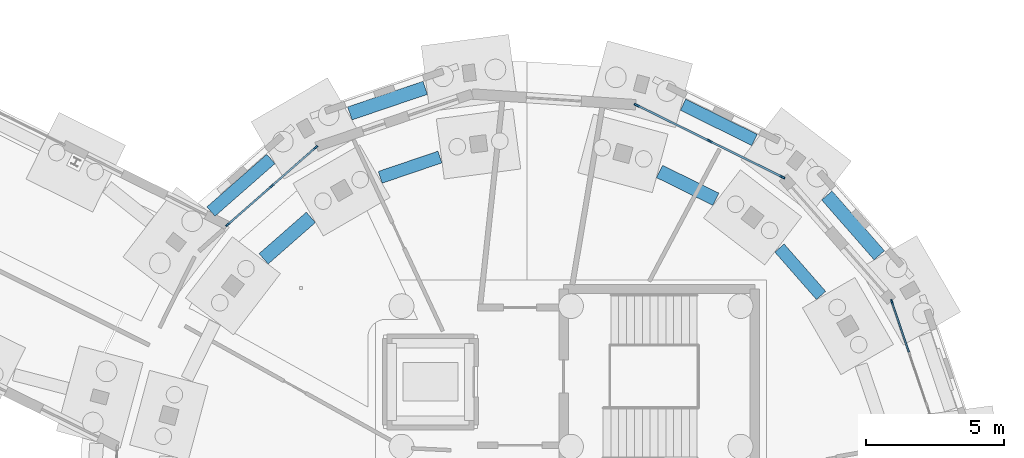
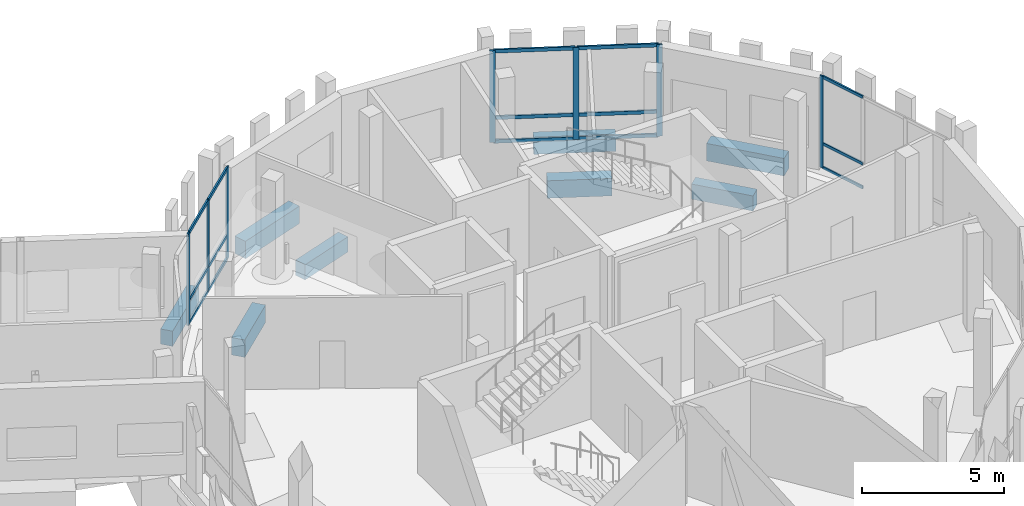
# One storey, part 62 of 113: 22 members, 8 beams, 3 elements without a shape of their own.
"""IFC4 building model written with IfcOpenShell, lengths in metres."""

from ifc_helpers import new_model, si_unit, direction, frame, origin, origin_2d, place, context, subcontext, project, spatial, rectangle, extrude, material, material_profile, profile_set, type_object, element, aggregate, save


model = new_model("IFC4")

# Units and contexts
model_context = context("Model", 3, precision=1e-05, world=origin(), true_north=direction((0.0, 1.0)))
body_context = subcontext(model_context, "Body", "Model", "MODEL_VIEW")
ifc_project = project(units=[si_unit("LENGTHUNIT", "METRE"), si_unit("AREAUNIT", "SQUARE_METRE"), si_unit("VOLUMEUNIT", "CUBIC_METRE"), si_unit("PLANEANGLEUNIT", "RADIAN"), si_unit("MASSUNIT", "GRAM", prefix="KILO")], contexts=[model_context])

# Site, building, storey
site_placement = place(None, origin())
site = spatial("IfcSite", under=ifc_project, at=site_placement, CompositionType="ELEMENT")
building_placement = place(site_placement, origin())
building = spatial("IfcBuilding", under=site, at=building_placement, Name="Wrenclough Park School", CompositionType="ELEMENT")
storey_placement = place(building_placement, origin())
storey = spatial("IfcBuildingStorey", under=building, at=storey_placement, Name="L00", CompositionType="ELEMENT", Elevation=0.0)

# Curtain wall, member
ifc_material_1 = material(Name="Thermally broken aluminium and low-e glass curtain wall", Category="aluminium")
curtain_wall_type_1 = type_object("IfcCurtainWallType", Name="ENV-CW-09", PredefinedType="USERDEFINED", material=ifc_material_1)
curtain_wall_1_placement = place(storey_placement, origin())
curtain_wall_1 = element("IfcCurtainWall", 1, at=curtain_wall_1_placement, inside=storey, type_object=curtain_wall_type_1, Name="L00 recessed curtain wall assembly 024", ObjectType="CURTAIN WALL", PredefinedType="USERDEFINED")
ifc_material_2 = material(Name="Thermally broken anodised aluminium", Category="aluminium")
ifc_material_profile_1 = material_profile(ifc_material_2, rectangle(XDim=0.06005859375, YDim=0.159912109375, at=origin_2d()), Name="AL MULLION 60x160")
ifc_profile_set_1 = profile_set([ifc_material_profile_1], Name="Thermally broken anodised aluminium")
member_type_1 = type_object("IfcMemberType", Name="ENV-CWM-1", PredefinedType="MULLION", material=ifc_profile_set_1)
member_1_placement = place(storey_placement, frame((187.741943359375, 101.106689453125, 0.0), z_axis=(0.0, 0.0, 1.0), x_axis=(0.946933787668, 0.321428688473, 0.0)))
member_1 = element("IfcMember", 2, at=member_1_placement, type_object=member_type_1, Name="CW-09 mullion 1", PredefinedType="MULLION", context=body_context, shape_type="SweptSolid", body=[
    extrude(rectangle(XDim=0.06005859375, YDim=0.159912109375, at=origin_2d()), origin(), (0.0, 0.0, 1.0), 3.93994140625),
])

# Curtain wall, members
curtain_wall_type_2 = type_object("IfcCurtainWallType", Name="ENV-CW-07", PredefinedType="USERDEFINED", material=ifc_material_1)
curtain_wall_2_placement = place(storey_placement, origin())
curtain_wall_2 = element("IfcCurtainWall", 3, at=curtain_wall_2_placement, inside=storey, type_object=curtain_wall_type_2, Name="L00 recessed curtain wall assembly 022", ObjectType="CURTAIN WALL", PredefinedType="USERDEFINED")
ifc_material_profile_2 = material_profile(ifc_material_2, rectangle(XDim=0.06494140625, YDim=0.179931640625, at=origin_2d()), Name="AL MULLION 65x180")
ifc_profile_set_2 = profile_set([ifc_material_profile_2], Name="Thermally broken anodised aluminium")
member_type_2 = type_object("IfcMemberType", Name="ENV-CWM-2", PredefinedType="MULLION", material=ifc_profile_set_2)
member_2_placement = place(storey_placement, frame((163.64306640625, 103.90869140625, 0.0), z_axis=(0.0, 0.0, 1.0), x_axis=(-0.659374996981, 0.751814214654, 0.0)))
member_2 = element("IfcMember", 4, at=member_2_placement, type_object=member_type_2, Name="CW-07 mullion 1", PredefinedType="MULLION", context=body_context, shape_type="SweptSolid", body=[
    extrude(rectangle(XDim=0.06494140625, YDim=0.179931640625, at=origin_2d()), origin(), (0.0, 0.0, 1.0), 3.93994140625),
])
member_3_placement = place(storey_placement, frame((165.23828125, 105.307861328125, 0.0), z_axis=(0.0, 0.0, 1.0), x_axis=(-0.659374996981, 0.751814214654, 0.0)))
member_3 = element("IfcMember", 5, at=member_3_placement, type_object=member_type_2, Name="CW-07 mullion 2", PredefinedType="MULLION", context=body_context, shape_type="SweptSolid", body=[
    extrude(rectangle(XDim=0.06494140625, YDim=0.179931640625, at=origin_2d()), origin(), (0.0, 0.0, 1.0), 3.93994140625),
])
member_4_placement = place(storey_placement, frame((166.833740234375, 106.706787109375, 0.0), z_axis=(0.0, 0.0, 1.0), x_axis=(-0.659374996981, 0.751814214654, 0.0)))
member_4 = element("IfcMember", 6, at=member_4_placement, type_object=member_type_2, Name="CW-07 mullion 3", PredefinedType="MULLION", context=body_context, shape_type="SweptSolid", body=[
    extrude(rectangle(XDim=0.06494140625, YDim=0.179931640625, at=origin_2d()), origin(), (0.0, 0.0, 1.0), 3.93994140625),
])

curtain_wall_type_3 = type_object("IfcCurtainWallType", Name="ENV-CW-08", PredefinedType="USERDEFINED", material=ifc_material_1)
curtain_wall_3_placement = place(storey_placement, origin())
curtain_wall_3 = element("IfcCurtainWall", 7, at=curtain_wall_3_placement, inside=storey, type_object=curtain_wall_type_3, Name="L00 recessed curtain wall assembly 023", ObjectType="CURTAIN WALL", PredefinedType="USERDEFINED")
ifc_material_profile_3 = material_profile(ifc_material_2, rectangle(XDim=0.070068359375, YDim=0.199951171875, at=origin_2d()), Name="AL MULLION 70x200")
ifc_profile_set_3 = profile_set([ifc_material_profile_3], Name="Thermally broken anodised aluminium")
member_type_3 = type_object("IfcMemberType", Name="ENV-CWM-3", PredefinedType="MULLION", material=ifc_profile_set_3)
member_5_placement = place(storey_placement, frame((178.489013671875, 108.239990234375, 0.0), z_axis=(0.0, 0.0, 1.0), x_axis=(0.442301923806, 0.896866215328, 0.0)))
member_5 = element("IfcMember", 8, at=member_5_placement, type_object=member_type_3, Name="CW-08 mullion 1", PredefinedType="MULLION", context=body_context, shape_type="SweptSolid", body=[
    extrude(rectangle(XDim=0.070068359375, YDim=0.199951171875, at=origin_2d()), origin(), (0.0, 0.0, 1.0), 3.93994140625),
])
member_6_placement = place(storey_placement, frame((181.127197265625, 106.93896484375, 0.0), z_axis=(0.0, 0.0, 1.0), x_axis=(0.442301923806, 0.896866215328, 0.0)))
member_6 = element("IfcMember", 9, at=member_6_placement, type_object=member_type_3, Name="CW-08 mullion 2", PredefinedType="MULLION", context=body_context, shape_type="SweptSolid", body=[
    extrude(rectangle(XDim=0.070068359375, YDim=0.199951171875, at=origin_2d()), origin(), (0.0, 0.0, 1.0), 3.93994140625),
])
member_7_placement = place(storey_placement, frame((183.765625, 105.6376953125, 0.0), z_axis=(0.0, 0.0, 1.0), x_axis=(0.442301923806, 0.896866215328, 0.0)))
member_7 = element("IfcMember", 10, at=member_7_placement, type_object=member_type_3, Name="CW-08 mullion 3", PredefinedType="MULLION", context=body_context, shape_type="SweptSolid", body=[
    extrude(rectangle(XDim=0.070068359375, YDim=0.199951171875, at=origin_2d()), origin(), (0.0, 0.0, 1.0), 3.93994140625),
])

# Member
ifc_material_profile_4 = material_profile(ifc_material_2, rectangle(XDim=0.06005859375, YDim=0.1201171875, at=origin_2d()), Name="AL TRANSOM 60x120")
ifc_profile_set_4 = profile_set([ifc_material_profile_4], Name="Thermally broken anodised aluminium")
member_type_4 = type_object("IfcMemberType", Name="ENV-CWT-1", PredefinedType="USERDEFINED", material=ifc_profile_set_4)
member_8_placement = place(storey_placement, frame((187.75146484375, 101.078369140625, 0.030029296875), z_axis=(0.321403655134, -0.946942284654, 0.0), x_axis=(0.946942284654, 0.321403655134, 0.0)))
member_8 = element("IfcMember", 11, at=member_8_placement, type_object=member_type_4, Name="CW-09 transom 1.1", ObjectType="TRANSOM", PredefinedType="USERDEFINED", context=body_context, shape_type="SweptSolid", body=[
    extrude(rectangle(XDim=0.06005859375, YDim=0.1201171875, at=origin_2d()), origin(), (0.0, 0.0, 1.0), 1.89453125),
])

member_9_placement = place(storey_placement, frame((187.75146484375, 101.078369140625, 1.050048828125), z_axis=(0.321403655134, -0.946942284654, 0.0), x_axis=(0.946942284654, 0.321403655134, 0.0)))
member_9 = element("IfcMember", 12, at=member_9_placement, type_object=member_type_4, Name="CW-09 transom 1.2", ObjectType="TRANSOM", PredefinedType="USERDEFINED", context=body_context, shape_type="SweptSolid", body=[
    extrude(rectangle(XDim=0.06005859375, YDim=0.1201171875, at=origin_2d()), origin(), (0.0, 0.0, 1.0), 1.89453125),
])

member_10_placement = place(storey_placement, frame((187.75146484375, 101.078369140625, 3.909912109375), z_axis=(0.321403655134, -0.946942284654, 0.0), x_axis=(0.946942284654, 0.321403655134, 0.0)))
member_10 = element("IfcMember", 13, at=member_10_placement, type_object=member_type_4, Name="CW-09 transom 1.3", ObjectType="TRANSOM", PredefinedType="USERDEFINED", context=body_context, shape_type="SweptSolid", body=[
    extrude(rectangle(XDim=0.06005859375, YDim=0.1201171875, at=origin_2d()), origin(), (0.0, 0.0, 1.0), 1.89453125),
])

aggregate(curtain_wall_1, [member_1, member_8, member_9, member_10])

ifc_material_profile_5 = material_profile(ifc_material_2, rectangle(XDim=0.06494140625, YDim=0.139892578125, at=origin_2d()), Name="AL TRANSOM 65x140")
ifc_profile_set_5 = profile_set([ifc_material_profile_5], Name="Thermally broken anodised aluminium")
member_type_5 = type_object("IfcMemberType", Name="ENV-CWT-2", PredefinedType="USERDEFINED", material=ifc_profile_set_5)
member_11_placement = place(storey_placement, frame((163.66748046875, 103.93017578125, 0.032470703125), z_axis=(0.751826210205, 0.659361319497, 0.0), x_axis=(-0.659361319497, 0.751826210205, 0.0)))
member_11 = element("IfcMember", 14, at=member_11_placement, type_object=member_type_5, Name="CW-07 transom 1.1", ObjectType="TRANSOM", PredefinedType="USERDEFINED", context=body_context, shape_type="SweptSolid", body=[
    extrude(rectangle(XDim=0.06494140625, YDim=0.139892578125, at=origin_2d()), origin(), (0.0, 0.0, 1.0), 2.056884765625),
])

member_12_placement = place(storey_placement, frame((163.66748046875, 103.93017578125, 1.050048828125), z_axis=(0.751826210205, 0.659361319497, 0.0), x_axis=(-0.659361319497, 0.751826210205, 0.0)))
member_12 = element("IfcMember", 15, at=member_12_placement, type_object=member_type_5, Name="CW-07 transom 1.2", ObjectType="TRANSOM", PredefinedType="USERDEFINED", context=body_context, shape_type="SweptSolid", body=[
    extrude(rectangle(XDim=0.06494140625, YDim=0.139892578125, at=origin_2d()), origin(), (0.0, 0.0, 1.0), 2.056884765625),
])

member_13_placement = place(storey_placement, frame((163.66748046875, 103.93017578125, 3.907470703125), z_axis=(0.751826210205, 0.659361319497, 0.0), x_axis=(-0.659361319497, 0.751826210205, 0.0)))
member_13 = element("IfcMember", 16, at=member_13_placement, type_object=member_type_5, Name="CW-07 transom 1.3", ObjectType="TRANSOM", PredefinedType="USERDEFINED", context=body_context, shape_type="SweptSolid", body=[
    extrude(rectangle(XDim=0.06494140625, YDim=0.139892578125, at=origin_2d()), origin(), (0.0, 0.0, 1.0), 2.056884765625),
])

member_14_placement = place(storey_placement, frame((165.262939453125, 105.3291015625, 0.032470703125), z_axis=(0.751767370778, 0.659428404175, 0.0), x_axis=(-0.659428404175, 0.751767370778, 0.0)))
member_14 = element("IfcMember", 17, at=member_14_placement, type_object=member_type_5, Name="CW-07 transom 2.1", ObjectType="TRANSOM", PredefinedType="USERDEFINED", context=body_context, shape_type="SweptSolid", body=[
    extrude(rectangle(XDim=0.06494140625, YDim=0.139892578125, at=origin_2d()), origin(), (0.0, 0.0, 1.0), 2.056884765625),
])

member_15_placement = place(storey_placement, frame((165.262939453125, 105.3291015625, 1.050048828125), z_axis=(0.751767370778, 0.659428404175, 0.0), x_axis=(-0.659428404175, 0.751767370778, 0.0)))
member_15 = element("IfcMember", 18, at=member_15_placement, type_object=member_type_5, Name="CW-07 transom 2.2", ObjectType="TRANSOM", PredefinedType="USERDEFINED", context=body_context, shape_type="SweptSolid", body=[
    extrude(rectangle(XDim=0.06494140625, YDim=0.139892578125, at=origin_2d()), origin(), (0.0, 0.0, 1.0), 2.056884765625),
])

member_16_placement = place(storey_placement, frame((165.262939453125, 105.3291015625, 3.907470703125), z_axis=(0.751767370778, 0.659428404175, 0.0), x_axis=(-0.659428404175, 0.751767370778, 0.0)))
member_16 = element("IfcMember", 19, at=member_16_placement, type_object=member_type_5, Name="CW-07 transom 2.3", ObjectType="TRANSOM", PredefinedType="USERDEFINED", context=body_context, shape_type="SweptSolid", body=[
    extrude(rectangle(XDim=0.06494140625, YDim=0.139892578125, at=origin_2d()), origin(), (0.0, 0.0, 1.0), 2.056884765625),
])

aggregate(curtain_wall_2, [member_2, member_3, member_4, member_11, member_12, member_13, member_14, member_15, member_16])

ifc_material_profile_6 = material_profile(ifc_material_2, rectangle(XDim=0.070068359375, YDim=0.14990234375, at=origin_2d()), Name="AL TRANSOM 70x150")
ifc_profile_set_6 = profile_set([ifc_material_profile_6], Name="Thermally broken anodised aluminium")
member_type_6 = type_object("IfcMemberType", Name="ENV-CWT-3", PredefinedType="USERDEFINED", material=ifc_profile_set_6)
member_17_placement = place(storey_placement, frame((178.5205078125, 108.224365234375, 0.034912109375), z_axis=(0.896879186367, -0.442275621147, 0.0), x_axis=(0.442275621147, 0.896879186367, 0.0)))
member_17 = element("IfcMember", 20, at=member_17_placement, type_object=member_type_6, Name="CW-08 transom 1.1", ObjectType="TRANSOM", PredefinedType="USERDEFINED", context=body_context, shape_type="SweptSolid", body=[
    extrude(rectangle(XDim=0.070068359375, YDim=0.14990234375, at=origin_2d()), origin(), (0.0, 0.0, 1.0), 2.87158203125),
])

member_18_placement = place(storey_placement, frame((178.5205078125, 108.224365234375, 1.050048828125), z_axis=(0.896879186367, -0.442275621147, 0.0), x_axis=(0.442275621147, 0.896879186367, 0.0)))
member_18 = element("IfcMember", 21, at=member_18_placement, type_object=member_type_6, Name="CW-08 transom 1.2", ObjectType="TRANSOM", PredefinedType="USERDEFINED", context=body_context, shape_type="SweptSolid", body=[
    extrude(rectangle(XDim=0.070068359375, YDim=0.14990234375, at=origin_2d()), origin(), (0.0, 0.0, 1.0), 2.87158203125),
])

member_19_placement = place(storey_placement, frame((178.5205078125, 108.224365234375, 3.905029296875), z_axis=(0.896879186367, -0.442275621147, 0.0), x_axis=(0.442275621147, 0.896879186367, 0.0)))
member_19 = element("IfcMember", 22, at=member_19_placement, type_object=member_type_6, Name="CW-08 transom 1.3", ObjectType="TRANSOM", PredefinedType="USERDEFINED", context=body_context, shape_type="SweptSolid", body=[
    extrude(rectangle(XDim=0.070068359375, YDim=0.14990234375, at=origin_2d()), origin(), (0.0, 0.0, 1.0), 2.87158203125),
])

member_20_placement = place(storey_placement, frame((181.15869140625, 106.92333984375, 0.034912109375), z_axis=(0.896879186367, -0.442275621147, 0.0), x_axis=(0.442275621147, 0.896879186367, 0.0)))
member_20 = element("IfcMember", 23, at=member_20_placement, type_object=member_type_6, Name="CW-08 transom 2.1", ObjectType="TRANSOM", PredefinedType="USERDEFINED", context=body_context, shape_type="SweptSolid", body=[
    extrude(rectangle(XDim=0.070068359375, YDim=0.14990234375, at=origin_2d()), origin(), (0.0, 0.0, 1.0), 2.87158203125),
])

member_21_placement = place(storey_placement, frame((181.15869140625, 106.92333984375, 1.050048828125), z_axis=(0.896879186367, -0.442275621147, 0.0), x_axis=(0.442275621147, 0.896879186367, 0.0)))
member_21 = element("IfcMember", 24, at=member_21_placement, type_object=member_type_6, Name="CW-08 transom 2.2", ObjectType="TRANSOM", PredefinedType="USERDEFINED", context=body_context, shape_type="SweptSolid", body=[
    extrude(rectangle(XDim=0.070068359375, YDim=0.14990234375, at=origin_2d()), origin(), (0.0, 0.0, 1.0), 2.87158203125),
])

member_22_placement = place(storey_placement, frame((181.15869140625, 106.92333984375, 3.905029296875), z_axis=(0.896879186367, -0.442275621147, 0.0), x_axis=(0.442275621147, 0.896879186367, 0.0)))
member_22 = element("IfcMember", 25, at=member_22_placement, type_object=member_type_6, Name="CW-08 transom 2.3", ObjectType="TRANSOM", PredefinedType="USERDEFINED", context=body_context, shape_type="SweptSolid", body=[
    extrude(rectangle(XDim=0.070068359375, YDim=0.14990234375, at=origin_2d()), origin(), (0.0, 0.0, 1.0), 2.87158203125),
])

aggregate(curtain_wall_3, [member_5, member_6, member_7, member_17, member_18, member_19, member_20, member_21, member_22])

# Beams
ifc_material_3 = material(Name="Concrete C35/45", Category="concrete")
ifc_material_profile_7 = material_profile(ifc_material_3, rectangle(XDim=0.449951171875, YDim=0.64990234375, at=origin_2d()), Name="RC GROUND 450x650")
ifc_profile_set_7 = profile_set([ifc_material_profile_7], Name="Concrete C35/45")
beam_type_1 = type_object("IfcBeamType", Name="STR-BM-GTB1", PredefinedType="USERDEFINED", material=ifc_profile_set_7)
beam_1_placement = place(storey_placement, frame((182.7607421875, 106.977783203125, -0.64990234375), z_axis=(-0.896858957971, 0.44231663942, 0.0), x_axis=(-0.44231663942, -0.896858957971, 0.0)))
element("IfcBeam", 26, at=beam_1_placement, inside=storey, type_object=beam_type_1, Name="Reinforced concrete ground tie beam 091", ObjectType="GROUND TIE BEAM", PredefinedType="USERDEFINED", context=body_context, shape_type="SweptSolid", body=[
    extrude(rectangle(XDim=0.449951171875, YDim=0.64990234375, at=origin_2d()), origin(), (0.0, 0.0, 1.0), 2.8955078125),
])
beam_2_placement = place(storey_placement, frame((165.209228515625, 106.289794921875, -0.64990234375), z_axis=(-0.751803112244, -0.659387655647, 0.0), x_axis=(0.659387655647, -0.751803112244, 0.0)))
element("IfcBeam", 27, at=beam_2_placement, inside=storey, type_object=beam_type_1, Name="Reinforced concrete ground tie beam 093", ObjectType="GROUND TIE BEAM", PredefinedType="USERDEFINED", context=body_context, shape_type="SweptSolid", body=[
    extrude(rectangle(XDim=0.449951171875, YDim=0.64990234375, at=origin_2d()), origin(), (0.0, 0.0, 1.0), 2.895263671875),
])
beam_3_placement = place(storey_placement, frame((185.17236328125, 101.33740234375, -0.64990234375), z_axis=(-0.659350029295, 0.751836111708, 0.0), x_axis=(-0.751836111708, -0.659350029295, 0.0)))
element("IfcBeam", 28, at=beam_3_placement, inside=storey, type_object=beam_type_1, Name="Reinforced concrete ground tie beam 105", ObjectType="GROUND TIE BEAM", PredefinedType="USERDEFINED", context=body_context, shape_type="SweptSolid", body=[
    extrude(rectangle(XDim=0.449951171875, YDim=0.64990234375, at=origin_2d()), origin(), (0.0, 0.0, 1.0), 2.28857421875),
])
beam_4_placement = place(storey_placement, frame((171.34326171875, 106.359375, -0.64990234375), z_axis=(-0.946908550775, -0.321503027153, 0.0), x_axis=(0.321503027153, -0.946908550775, 0.0)))
element("IfcBeam", 29, at=beam_4_placement, inside=storey, type_object=beam_type_1, Name="Reinforced concrete ground tie beam 107", ObjectType="GROUND TIE BEAM", PredefinedType="USERDEFINED", context=body_context, shape_type="SweptSolid", body=[
    extrude(rectangle(XDim=0.449951171875, YDim=0.64990234375, at=origin_2d()), origin(), (0.0, 0.0, 1.0), 2.288818359375),
])
ifc_material_profile_8 = material_profile(ifc_material_3, rectangle(XDim=0.5, YDim=0.75, at=origin_2d()), Name="RC GROUND 500x750")
ifc_profile_set_8 = profile_set([ifc_material_profile_8], Name="Concrete C35/45")
beam_type_2 = type_object("IfcBeamType", Name="STR-BM-GTB2", PredefinedType="USERDEFINED", material=ifc_profile_set_8)
for number, where, z_axis, x_axis, name in (
    (30, (187.287109375, 102.793701171875, -0.699951171875), (-0.659342244413, 0.751842938872, 0.0), (-0.751842938872, -0.659342244413, 0.0), "Reinforced concrete ground tie beam 090"),
    (31, (170.80712890625, 108.870361328125, -0.699951171875), (-0.946918502256, -0.321473716009, 0.0), (0.321473716009, -0.946918502256, 0.0), "Reinforced concrete ground tie beam 092"),
):
    element("IfcBeam", number, at=place(storey_placement, frame(where, z_axis=z_axis, x_axis=x_axis)), inside=storey, type_object=beam_type_2, Name=name, ObjectType="GROUND TIE BEAM", PredefinedType="USERDEFINED", context=body_context, shape_type="SweptSolid", body=[
        extrude(rectangle(XDim=0.5, YDim=0.75, at=origin_2d()), origin(), (0.0, 0.0, 1.0), 2.887451171875),
    ])
beam_5_placement = place(storey_placement, frame((181.357177734375, 104.826904296875, -0.699951171875), z_axis=(-0.8968970467, 0.442239400802, 0.0), x_axis=(-0.442239400802, -0.8968970467, 0.0)))
element("IfcBeam", 32, at=beam_5_placement, inside=storey, type_object=beam_type_2, Name="Reinforced concrete ground tie beam 106", ObjectType="GROUND TIE BEAM", PredefinedType="USERDEFINED", context=body_context, shape_type="SweptSolid", body=[
    extrude(rectangle(XDim=0.5, YDim=0.75, at=origin_2d()), origin(), (0.0, 0.0, 1.0), 2.280517578125),
])
beam_6_placement = place(storey_placement, frame((166.65966796875, 104.169921875, -0.699951171875), z_axis=(-0.751833582115, -0.6593529137, 0.0), x_axis=(0.6593529137, -0.751833582115, 0.0)))
element("IfcBeam", 33, at=beam_6_placement, inside=storey, type_object=beam_type_2, Name="Reinforced concrete ground tie beam 108", ObjectType="GROUND TIE BEAM", PredefinedType="USERDEFINED", context=body_context, shape_type="SweptSolid", body=[
    extrude(rectangle(XDim=0.5, YDim=0.75, at=origin_2d()), origin(), (0.0, 0.0, 1.0), 2.28076171875),
])

save(model, "model.ifc")
